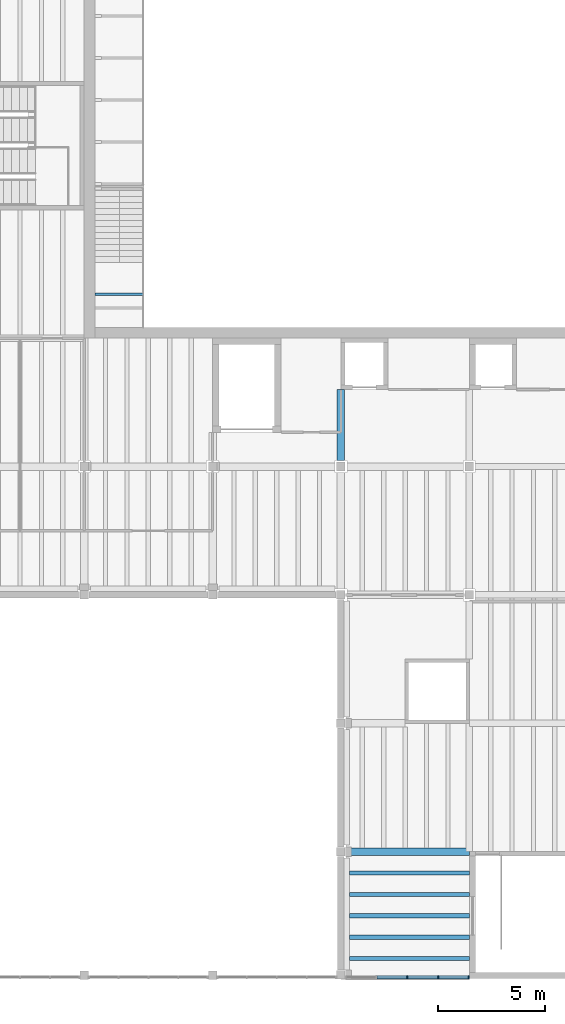
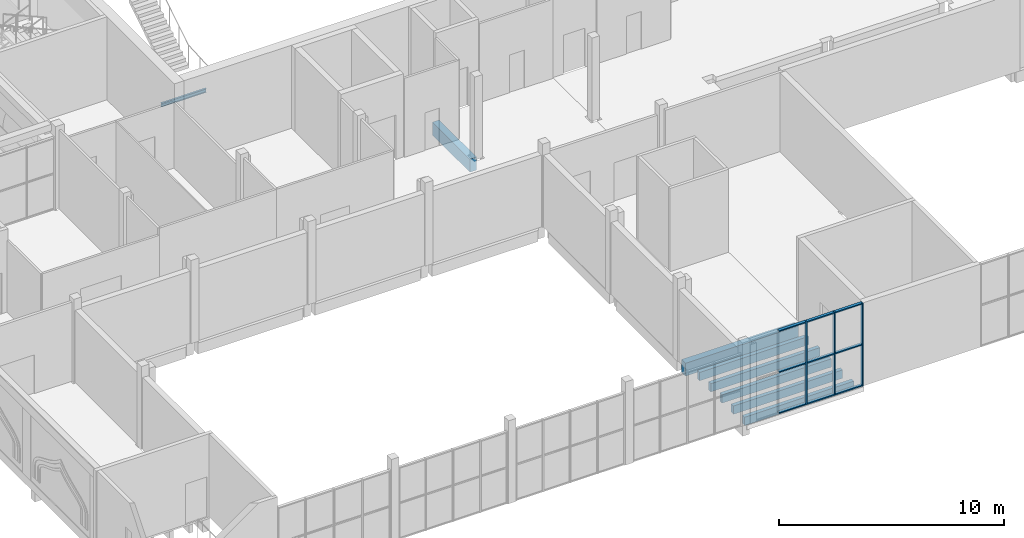
# One storey, part 5 of 70: 12 members, 8 beams, 1 element without a shape of its own.
"""IFC4 building model written with IfcOpenShell, lengths in metres."""

from ifc_helpers import new_model, si_unit, direction, frame, origin, origin_2d, place, context, subcontext, project, spatial, rectangle, i_section, extrude, material, material_profile, profile_set, type_object, element, aggregate, save


model = new_model("IFC4")

# Units and contexts
model_context = context("Model", 3, precision=1e-05, world=origin(), true_north=direction((0.0, 1.0)))
body_context = subcontext(model_context, "Body", "Model", "MODEL_VIEW")
ifc_project = project(units=[si_unit("LENGTHUNIT", "METRE"), si_unit("AREAUNIT", "SQUARE_METRE"), si_unit("VOLUMEUNIT", "CUBIC_METRE"), si_unit("PLANEANGLEUNIT", "RADIAN"), si_unit("MASSUNIT", "GRAM", prefix="KILO")], contexts=[model_context])

# Site, building, storey
site_placement = place(None, origin())
site = spatial("IfcSite", under=ifc_project, at=site_placement, CompositionType="ELEMENT")
building_placement = place(site_placement, origin())
building = spatial("IfcBuilding", under=site, at=building_placement, Name="Saffron Lane Theatres", CompositionType="ELEMENT")
storey_placement = place(building_placement, frame((0.0, 0.0, 12.0)))
storey = spatial("IfcBuildingStorey", under=building, at=storey_placement, Name="L02", CompositionType="ELEMENT", Elevation=12.0)

# Curtain wall, members
ifc_material_1 = material(Name="Aluminium", Category="aluminium")
curtain_wall_type = type_object("IfcCurtainWallType", Name="EX-CURTAIN WALL 5800x4500x160", PredefinedType="NOTDEFINED", material=ifc_material_1)
curtain_wall_placement = place(storey_placement, origin())
curtain_wall = element("IfcCurtainWall", 1, at=curtain_wall_placement, inside=storey, type_object=curtain_wall_type, Name="Curtain wall L02 09", PredefinedType="NOTDEFINED")
ifc_material_2 = material(Name="Aluminium", Category="aluminium")
ifc_material_profile_1 = material_profile(ifc_material_2, rectangle(XDim=0.06005859375, YDim=0.159912109375, at=origin_2d()))
ifc_profile_set_1 = profile_set([ifc_material_profile_1], Name="Aluminium")
member_type_1 = type_object("IfcMemberType", Name="EX-CW MULLION 60x160", PredefinedType="MULLION", material=ifc_profile_set_1)
member_1_placement = place(storey_placement, frame((35.969970703125, 0.1298828125, 0.0), z_axis=(0.0, 0.0, 1.0), x_axis=(-1.0, 0.0, 0.0)))
member_1 = element("IfcMember", 2, at=member_1_placement, type_object=member_type_1, Name="CW-02-09 mullion 1", PredefinedType="MULLION", context=body_context, shape_type="SweptSolid", body=[
    extrude(rectangle(XDim=0.06005859375, YDim=0.159912109375, at=origin_2d()), origin(), (0.0, 0.0, 1.0), 4.5),
])
member_2_placement = place(storey_placement, frame((34.550048828125, 0.1298828125, 0.0), z_axis=(0.0, 0.0, 1.0), x_axis=(-1.0, 0.0, 0.0)))
member_2 = element("IfcMember", 3, at=member_2_placement, type_object=member_type_1, Name="CW-02-09 mullion 2", PredefinedType="MULLION", context=body_context, shape_type="SweptSolid", body=[
    extrude(rectangle(XDim=0.06005859375, YDim=0.159912109375, at=origin_2d()), origin(), (0.0, 0.0, 1.0), 4.5),
])
member_3_placement = place(storey_placement, frame((33.10009765625, 0.1298828125, 0.0), z_axis=(0.0, 0.0, 1.0), x_axis=(-1.0, 0.0, 0.0)))
member_3 = element("IfcMember", 4, at=member_3_placement, type_object=member_type_1, Name="CW-02-09 mullion 3", PredefinedType="MULLION", context=body_context, shape_type="SweptSolid", body=[
    extrude(rectangle(XDim=0.06005859375, YDim=0.159912109375, at=origin_2d()), origin(), (0.0, 0.0, 1.0), 4.5),
])
ifc_material_3 = material(Name="Aluminium", Category="aluminium")
ifc_material_profile_2 = material_profile(ifc_material_3, rectangle(XDim=0.14990234375, YDim=0.06005859375, at=origin_2d()))
ifc_profile_set_2 = profile_set([ifc_material_profile_2], Name="Aluminium")
member_type_2 = type_object("IfcMemberType", Name="EX-CW TRANSOM 150x60", PredefinedType="USERDEFINED", material=ifc_profile_set_2)
member_4_placement = place(storey_placement, frame((35.93994140625, 0.1298828125, 0.030029296875), z_axis=(-1.0, 0.0, 0.0), x_axis=(0.0, -1.0, 0.0)))
member_4 = element("IfcMember", 5, at=member_4_placement, type_object=member_type_2, Name="CW-02-09 transom 1.1", ObjectType="TRANSOM", PredefinedType="USERDEFINED", context=body_context, shape_type="SweptSolid", body=[
    extrude(rectangle(XDim=0.14990234375, YDim=0.06005859375, at=origin_2d()), origin(), (0.0, 0.0, 1.0), 1.35986328125),
])
member_5_placement = place(storey_placement, frame((35.93994140625, 0.1298828125, 2.25), z_axis=(-1.0, 0.0, 0.0), x_axis=(0.0, -1.0, 0.0)))
member_5 = element("IfcMember", 6, at=member_5_placement, type_object=member_type_2, Name="CW-02-09 transom 1.2", ObjectType="TRANSOM", PredefinedType="USERDEFINED", context=body_context, shape_type="SweptSolid", body=[
    extrude(rectangle(XDim=0.14990234375, YDim=0.06005859375, at=origin_2d()), origin(), (0.0, 0.0, 1.0), 1.35986328125),
])
member_6_placement = place(storey_placement, frame((35.93994140625, 0.1298828125, 4.469970703125), z_axis=(-1.0, 0.0, 0.0), x_axis=(0.0, -1.0, 0.0)))
member_6 = element("IfcMember", 7, at=member_6_placement, type_object=member_type_2, Name="CW-02-09 transom 1.3", ObjectType="TRANSOM", PredefinedType="USERDEFINED", context=body_context, shape_type="SweptSolid", body=[
    extrude(rectangle(XDim=0.14990234375, YDim=0.06005859375, at=origin_2d()), origin(), (0.0, 0.0, 1.0), 1.35986328125),
])
member_7_placement = place(storey_placement, frame((34.52001953125, 0.1298828125, 0.030029296875), z_axis=(-1.0, 0.0, 0.0), x_axis=(0.0, -1.0, 0.0)))
member_7 = element("IfcMember", 8, at=member_7_placement, type_object=member_type_2, Name="CW-02-09 transom 2.1", ObjectType="TRANSOM", PredefinedType="USERDEFINED", context=body_context, shape_type="SweptSolid", body=[
    extrude(rectangle(XDim=0.14990234375, YDim=0.06005859375, at=origin_2d()), origin(), (0.0, 0.0, 1.0), 1.39013671875),
])
member_8_placement = place(storey_placement, frame((34.52001953125, 0.1298828125, 2.25), z_axis=(-1.0, 0.0, 0.0), x_axis=(0.0, -1.0, 0.0)))
member_8 = element("IfcMember", 9, at=member_8_placement, type_object=member_type_2, Name="CW-02-09 transom 2.2", ObjectType="TRANSOM", PredefinedType="USERDEFINED", context=body_context, shape_type="SweptSolid", body=[
    extrude(rectangle(XDim=0.14990234375, YDim=0.06005859375, at=origin_2d()), origin(), (0.0, 0.0, 1.0), 1.39013671875),
])
member_9_placement = place(storey_placement, frame((34.52001953125, 0.1298828125, 4.469970703125), z_axis=(-1.0, 0.0, 0.0), x_axis=(0.0, -1.0, 0.0)))
member_9 = element("IfcMember", 10, at=member_9_placement, type_object=member_type_2, Name="CW-02-09 transom 2.3", ObjectType="TRANSOM", PredefinedType="USERDEFINED", context=body_context, shape_type="SweptSolid", body=[
    extrude(rectangle(XDim=0.14990234375, YDim=0.06005859375, at=origin_2d()), origin(), (0.0, 0.0, 1.0), 1.39013671875),
])
member_10_placement = place(storey_placement, frame((33.070068359375, 0.1298828125, 0.030029296875), z_axis=(-1.0, 0.0, 0.0), x_axis=(0.0, -1.0, 0.0)))
member_10 = element("IfcMember", 11, at=member_10_placement, type_object=member_type_2, Name="CW-02-09 transom 3.1", ObjectType="TRANSOM", PredefinedType="USERDEFINED", context=body_context, shape_type="SweptSolid", body=[
    extrude(rectangle(XDim=0.14990234375, YDim=0.06005859375, at=origin_2d()), origin(), (0.0, 0.0, 1.0), 1.39013671875),
])
member_11_placement = place(storey_placement, frame((33.070068359375, 0.1298828125, 2.25), z_axis=(-1.0, 0.0, 0.0), x_axis=(0.0, -1.0, 0.0)))
member_11 = element("IfcMember", 12, at=member_11_placement, type_object=member_type_2, Name="CW-02-09 transom 3.2", ObjectType="TRANSOM", PredefinedType="USERDEFINED", context=body_context, shape_type="SweptSolid", body=[
    extrude(rectangle(XDim=0.14990234375, YDim=0.06005859375, at=origin_2d()), origin(), (0.0, 0.0, 1.0), 1.39013671875),
])
member_12_placement = place(storey_placement, frame((33.070068359375, 0.1298828125, 4.469970703125), z_axis=(-1.0, 0.0, 0.0), x_axis=(0.0, -1.0, 0.0)))
member_12 = element("IfcMember", 13, at=member_12_placement, type_object=member_type_2, Name="CW-02-09 transom 3.3", ObjectType="TRANSOM", PredefinedType="USERDEFINED", context=body_context, shape_type="SweptSolid", body=[
    extrude(rectangle(XDim=0.14990234375, YDim=0.06005859375, at=origin_2d()), origin(), (0.0, 0.0, 1.0), 1.39013671875),
])
aggregate(curtain_wall, [member_1, member_2, member_3, member_4, member_5, member_6, member_7, member_8, member_9, member_10, member_11, member_12])

# Beams
ifc_material_4 = material(Name="Concrete N40 (40 MPa)", Category="concrete")
ifc_material_profile_3 = material_profile(ifc_material_4, rectangle(XDim=0.35009765625, YDim=0.699951171875, at=origin_2d()))
ifc_profile_set_3 = profile_set([ifc_material_profile_3], Name="Concrete N40 (40 MPa)")
beam_type_1 = type_object("IfcBeamType", Name="RC-BEAM 350x700", PredefinedType="BEAM", material=ifc_profile_set_3)
beam_1_placement = place(storey_placement, frame((30.22509765625, 6.0, -0.60009765625), z_axis=(1.0, 0.0, 0.0), x_axis=(0.0, 1.0, 0.0)))
element("IfcBeam", 14, at=beam_1_placement, inside=storey, type_object=beam_type_1, Name="beam-L02-x60-302", PredefinedType="BEAM", context=body_context, shape_type="SweptSolid", body=[
    extrude(rectangle(XDim=0.35009765625, YDim=0.699951171875, at=origin_2d()), origin(), (0.0, 0.0, 1.0), 5.77490234375),
])
beam_2_placement = place(storey_placement, frame((30.0, 24.27490234375, -0.60009765625), z_axis=(0.0, 1.0, 0.0), x_axis=(-1.0, 0.0, 0.0)))
element("IfcBeam", 15, at=beam_2_placement, inside=storey, type_object=beam_type_1, Name="beam-L02-y300-243", PredefinedType="BEAM", context=body_context, shape_type="SweptSolid", body=[
    extrude(rectangle(XDim=0.35009765625, YDim=0.699951171875, at=origin_2d()), origin(), (0.0, 0.0, 1.0), 3.3251953125),
])
ifc_material_5 = material(Name="Concrete N40 (40 MPa)", Category="concrete")
ifc_material_profile_4 = material_profile(ifc_material_5, rectangle(XDim=0.199951171875, YDim=0.449951171875, at=origin_2d()))
ifc_profile_set_4 = profile_set([ifc_material_profile_4], Name="Concrete N40 (40 MPa)")
beam_type_2 = type_object("IfcBeamType", Name="RC-JOIST 200x450", PredefinedType="JOIST", material=ifc_profile_set_4)
for number, where, z_axis, x_axis, name in (
    (16, (30.409912109375, 1.0, -0.47509765625), (1.0, 0.0, 0.0), (0.0, 1.0, 0.0), "joist-L02-x100-304"),
    (17, (30.409912109375, 2.0, -0.47509765625), (1.0, 0.0, 0.0), (0.0, 1.0, 0.0), "joist-L02-x200-304"),
    (18, (30.409912109375, 3.0, -0.47509765625), (1.0, 0.0, 0.0), (0.0, 1.0, 0.0), "joist-L02-x300-304"),
    (19, (30.409912109375, 4.0, -0.47509765625), (1.0, 0.0, 0.0), (0.0, 1.0, 0.0), "joist-L02-x400-304"),
    (20, (30.409912109375, 5.0, -0.47509765625), (1.0, 0.0, 0.0), (0.0, 1.0, 0.0), "joist-L02-x500-304"),
):
    element("IfcBeam", number, at=place(storey_placement, frame(where, z_axis=z_axis, x_axis=x_axis)), inside=storey, type_object=beam_type_2, Name=name, PredefinedType="JOIST", context=body_context, shape_type="SweptSolid", body=[
        extrude(rectangle(XDim=0.199951171875, YDim=0.449951171875, at=origin_2d()), origin(), (0.0, 0.0, 1.0), 5.590087890625),
    ])
ifc_material_6 = material(Name="Steel Grade 350", Category="steel")
ifc_material_profile_5 = material_profile(ifc_material_6, i_section(OverallWidth=0.09912109375, OverallDepth=0.197998046875, WebThickness=0.00439453125, FlangeThickness=0.007080078125, FilletRadius=0.010986328125, at=origin_2d()))
ifc_profile_set_5 = profile_set([ifc_material_profile_5], Name="Steel Grade 350")
beam_type_3 = type_object("IfcBeamType", Name="ST-GALLERY BEAM 200UB18.2", PredefinedType="BEAM", material=ifc_profile_set_5)
beam_3_placement = place(storey_placement, frame((18.5, 32.050048828125, 1.950927734375), z_axis=(1.0, 0.0, 0.0), x_axis=(0.0, 1.0, 0.0)))
element("IfcBeam", 21, at=beam_3_placement, inside=storey, type_object=beam_type_3, Name="FLW14.25-2", PredefinedType="BEAM", context=body_context, shape_type="SweptSolid", body=[
    extrude(i_section(OverallWidth=0.09912109375, OverallDepth=0.197998046875, WebThickness=0.00439453125, FlangeThickness=0.007080078125, FilletRadius=0.010986328125, at=origin_2d()), origin(), (0.0, 0.0, 1.0), 2.300048828125),
])

save(model, "model.ifc")
